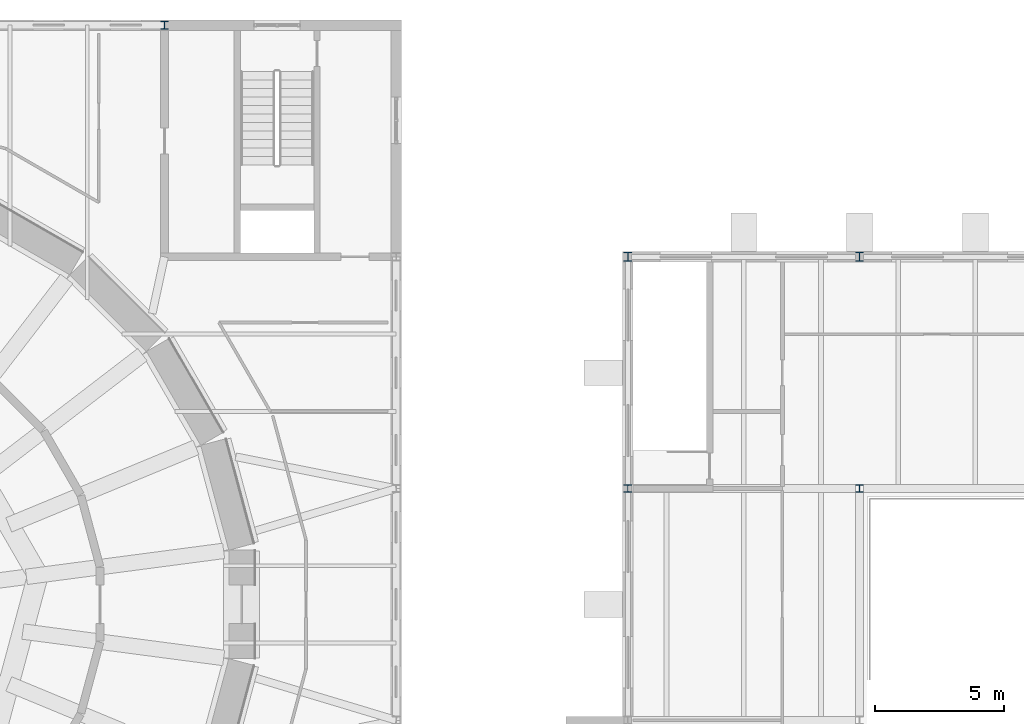
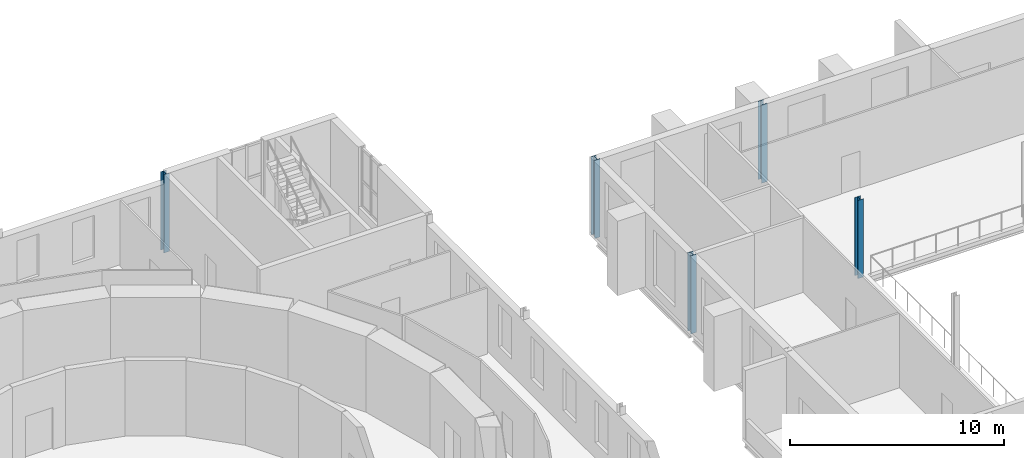
# One storey, part 14 of 131: 5 columns.
"""IFC4 building model written with IfcOpenShell, lengths in metres."""

from ifc_helpers import new_model, si_unit, direction, frame, origin, origin_2d, place, context, subcontext, project, spatial, i_section, extrude, material, material_profile, profile_set, type_object, element, save


model = new_model("IFC4")

# Units and contexts
model_context = context("Model", 3, precision=1e-05, world=origin(), true_north=direction((0.0, 1.0)))
body_context = subcontext(model_context, "Body", "Model", "MODEL_VIEW")
ifc_project = project(units=[si_unit("LENGTHUNIT", "METRE"), si_unit("AREAUNIT", "SQUARE_METRE"), si_unit("VOLUMEUNIT", "CUBIC_METRE"), si_unit("PLANEANGLEUNIT", "RADIAN"), si_unit("MASSUNIT", "GRAM", prefix="KILO")], contexts=[model_context])

# Site, building, storey
site_placement = place(None, origin())
site = spatial("IfcSite", under=ifc_project, at=site_placement, CompositionType="ELEMENT")
building_placement = place(site_placement, origin())
building = spatial("IfcBuilding", under=site, at=building_placement, Name="Golden Quay Civic Hall", CompositionType="ELEMENT")
storey_placement = place(building_placement, frame((0.0, 0.0, 9.89990234375)))
storey = spatial("IfcBuildingStorey", under=building, at=storey_placement, Name="L02", CompositionType="ELEMENT", Elevation=9.89990234375)

# Columns
ifc_material_1 = material(Name="Steel S355", Category="steel")
ifc_material_profile_1 = material_profile(ifc_material_1, i_section(OverallWidth=0.300048828125, OverallDepth=0.300048828125, WebThickness=0.010986328125, FlangeThickness=0.01904296875, FilletRadius=0.027099609375, at=origin_2d()), Name="HEB 300")
ifc_profile_set_1 = profile_set([ifc_material_profile_1], Name="Steel S355")
column_type_1 = type_object("IfcColumnType", Name="Steel column HEB 300", PredefinedType="COLUMN", material=ifc_profile_set_1)
for number, where, z_axis, x_axis, name in (
    (1, (99.0, 108.0, -0.199951171875), (0.0, 0.0, 1.0), (1.0, 0.0, 0.0), "Base column 12"),
    (2, (117.0, 90.0, -0.199951171875), (0.0, 0.0, 1.0), (1.0, 0.0, 0.0), "L02 column 117/90"),
    (3, (126.0, 90.0, -0.199951171875), (0.0, 0.0, 1.0), (1.0, 0.0, 0.0), "L02 column 126/90"),
):
    element("IfcColumn", number, at=place(storey_placement, frame(where, z_axis=z_axis, x_axis=x_axis)), inside=storey, type_object=column_type_1, Name=name, PredefinedType="COLUMN", context=body_context, shape_type="SweptSolid", body=[
        extrude(i_section(OverallWidth=0.300048828125, OverallDepth=0.300048828125, WebThickness=0.010986328125, FlangeThickness=0.01904296875, FilletRadius=0.027099609375, at=origin_2d()), origin(), (0.0, 0.0, 1.0), 4.449951171875),
    ])
ifc_material_2 = material(Name="Steel S355", Category="steel")
ifc_material_profile_2 = material_profile(ifc_material_2, i_section(OverallWidth=0.300048828125, OverallDepth=0.360107421875, WebThickness=0.012451171875, FlangeThickness=0.0224609375, FilletRadius=0.027099609375, at=origin_2d()), Name="HEB 360")
ifc_profile_set_2 = profile_set([ifc_material_profile_2], Name="Steel S355")
column_type_2 = type_object("IfcColumnType", Name="Steel column HEB 360", PredefinedType="COLUMN", material=ifc_profile_set_2)
for number, where, z_axis, x_axis, name in (
    (4, (117.0, 99.0, -0.199951171875), (0.0, 0.0, 1.0), (1.0, 0.0, 0.0), "L02 column 117/99"),
    (5, (126.0, 99.0, -0.199951171875), (0.0, 0.0, 1.0), (1.0, 0.0, 0.0), "L02 column 126/99"),
):
    element("IfcColumn", number, at=place(storey_placement, frame(where, z_axis=z_axis, x_axis=x_axis)), inside=storey, type_object=column_type_2, Name=name, PredefinedType="COLUMN", context=body_context, shape_type="SweptSolid", body=[
        extrude(i_section(OverallWidth=0.300048828125, OverallDepth=0.360107421875, WebThickness=0.012451171875, FlangeThickness=0.0224609375, FilletRadius=0.027099609375, at=origin_2d()), origin(), (0.0, 0.0, 1.0), 4.449951171875),
    ])

save(model, "model.ifc")
